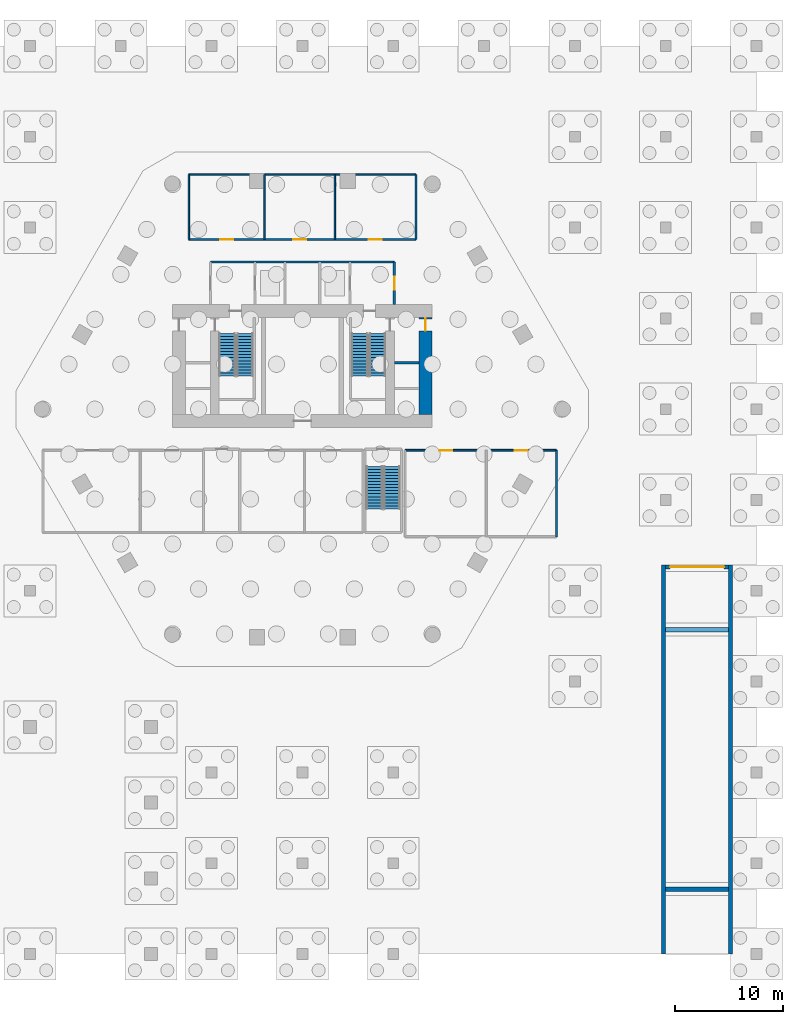
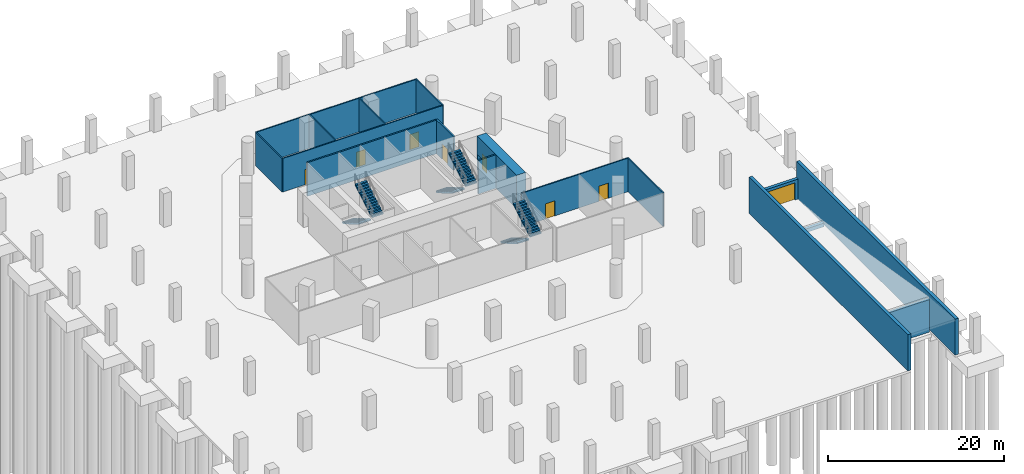
# One storey, part 5 of 7: 17 walls, 8 doors, 6 stair flights, 8 openings, 3 elements without a shape of their own.
"""IFC4 building model written with IfcOpenShell, lengths in metres."""

import ifcopenshell
import ifcopenshell.guid

model = None  # the IFC model being written
_history = None  # IfcOwnerHistory: only IFC2X3 demands one
_inside = {}  # id of a spatial element -> (the spatial element, [elements in it])
_under = {}  # id of a project, library or spatial element -> (it, [spatial elements below it])
_declared = {}  # id of a project -> (the project, [libraries it declares])
_typed = {}  # id of a type object -> (the type object, [elements of that type])
_made_of = {}  # id of a material, layer set ... -> (it, [elements and type objects made of it])


def new_model(schema):
    """Start an empty IFC model of exactly this schema.

    Asked for "IFC4X3", IfcOpenShell would pick the latest addendum, in which some entities
    have other attributes; the version numbers below select the first issue.
    IFC2X3 requires an IfcOwnerHistory on every rooted entity: one is made here for all.
    """
    global model, _history
    if schema == "IFC4X3":
        model = ifcopenshell.file(schema_version=(4, 3, 0, 0))
    else:
        model = ifcopenshell.file(schema=schema)
    _inside.clear()
    _under.clear()
    _declared.clear()
    _typed.clear()
    _made_of.clear()
    _history = None
    if model.schema == "IFC2X3":
        org = make("IfcOrganization", Name="unknown")
        user = make(
            "IfcPersonAndOrganization",
            ThePerson=make("IfcPerson", FamilyName="unknown"),
            TheOrganization=org,
        )
        app = make(
            "IfcApplication",
            ApplicationDeveloper=org,
            Version="unknown",
            ApplicationFullName="unknown",
            ApplicationIdentifier="unknown",
        )
        _history = make(
            "IfcOwnerHistory",
            OwningUser=user,
            OwningApplication=app,
            ChangeAction="ADDED",
            CreationDate=0,
        )
    return model


def make(cls, **values):
    """One entity of the class cls with the attributes given. An attribute that is None is left unset."""
    return model.create_entity(
        cls, **{name: value for name, value in values.items() if value is not None}
    )


def rooted(cls, **values):
    """An entity with a GlobalId (a new one), such as an element, a storey or a relation."""
    return make(cls, GlobalId=ifcopenshell.guid.new(), OwnerHistory=_history, **values)


def si_unit(unit_type, name, prefix=None):
    """IfcSIUnit, for example si_unit("LENGTHUNIT", "METRE", prefix="MILLI")."""
    return make("IfcSIUnit", UnitType=unit_type, Prefix=prefix, Name=name)


def assignment(units):
    """IfcUnitAssignment: the units of a project."""
    return None if units is None else make("IfcUnitAssignment", Units=units)


def point(xyz):
    """IfcCartesianPoint."""
    return None if xyz is None else make("IfcCartesianPoint", Coordinates=xyz)


def direction(xyz):
    """IfcDirection."""
    return None if xyz is None else make("IfcDirection", DirectionRatios=xyz)


def frame(location, z_axis=None, x_axis=None):
    """IfcAxis2Placement3D, a coordinate frame: its origin and axes. An axis left out is left unset."""
    return make(
        "IfcAxis2Placement3D",
        Location=point(location),
        Axis=direction(z_axis),
        RefDirection=direction(x_axis),
    )


def frame_2d(location, x_axis=None):
    """IfcAxis2Placement2D, a coordinate frame in the plane: its origin and x axis."""
    return make(
        "IfcAxis2Placement2D", Location=point(location), RefDirection=direction(x_axis)
    )


def origin():
    """The frame at (0, 0, 0) with its axes left unset."""
    return frame((0.0, 0.0, 0.0))


def place(relative_to, where):
    """IfcLocalPlacement: puts the frame where relative to a parent placement (None: the world)."""
    return make(
        "IfcLocalPlacement", PlacementRelTo=relative_to, RelativePlacement=where
    )


def context(
    kind, dimensions, precision=None, world=None, true_north=None, identifier=None
):
    """IfcGeometricRepresentationContext, for example the 3D "Model" context."""
    return make(
        "IfcGeometricRepresentationContext",
        ContextIdentifier=identifier,
        ContextType=kind,
        CoordinateSpaceDimension=dimensions,
        Precision=precision,
        WorldCoordinateSystem=world,
        TrueNorth=true_north,
    )


def subcontext(parent, identifier, kind, view, scale=None):
    """IfcGeometricRepresentationSubContext, for example "Body" below "Model"."""
    return make(
        "IfcGeometricRepresentationSubContext",
        ContextIdentifier=identifier,
        ContextType=kind,
        ParentContext=parent,
        TargetScale=scale,
        TargetView=view,
    )


def project(units=None, contexts=None):
    """IfcProject with its units and contexts."""
    return rooted(
        "IfcProject",
        Name="project",
        RepresentationContexts=contexts,
        UnitsInContext=assignment(units),
    )


def spatial(cls, under=None, at=None, **own):
    """A site, building, storey or space (cls), placed at a placement, below another one or the project."""
    s = rooted(cls, ObjectPlacement=at, **own)
    if under is not None:
        _under.setdefault(under.id(), (under, []))[1].append(s)
    return s


def polyline(points):
    """IfcPolyline through the points."""
    return make("IfcPolyline", Points=[point(p) for p in points])


def profile(cls, at=None, kind="AREA", **sizes):
    """A parametric profile (cls). Its sizes go by their IFC names, for example OverallWidth=200.0."""
    return make(cls, ProfileType=kind, Position=at, **sizes)


def rectangle(**sizes):
    """IfcRectangleProfileDef."""
    return profile("IfcRectangleProfileDef", **sizes)


def outline(outer, holes=None, kind="AREA"):
    """IfcArbitraryClosedProfileDef: a profile drawn as a closed curve; with holes, ...WithVoids."""
    if holes is None:
        return make("IfcArbitraryClosedProfileDef", ProfileType=kind, OuterCurve=outer)
    return make(
        "IfcArbitraryProfileDefWithVoids",
        ProfileType=kind,
        OuterCurve=outer,
        InnerCurves=holes,
    )


def extrude(swept, where, along, depth):
    """IfcExtrudedAreaSolid: the profile swept, set in the frame where, extruded along a direction by depth."""
    return make(
        "IfcExtrudedAreaSolid",
        SweptArea=swept,
        Position=where,
        ExtrudedDirection=direction(along),
        Depth=depth,
    )


def shape(context_of_items, identifier, shape_type, items):
    """IfcShapeRepresentation: the items that make up one representation, for example the "Body"."""
    return make(
        "IfcShapeRepresentation",
        ContextOfItems=context_of_items,
        RepresentationIdentifier=identifier,
        RepresentationType=shape_type,
        Items=items,
    )


def material(Name=None, Category=None):
    """IfcMaterial."""
    return make("IfcMaterial", Name=Name, Category=Category)


def layer(
    of_material, thickness, ventilated=None, Name=None, Category=None, Priority=None
):
    """IfcMaterialLayer: one layer of a wall or slab, of a material (None: an air gap)."""
    return make(
        "IfcMaterialLayer",
        Material=of_material,
        LayerThickness=thickness,
        IsVentilated=ventilated,
        Name=Name,
        Category=Category,
        Priority=Priority,
    )


def layer_set(layers, Name=None):
    """IfcMaterialLayerSet."""
    return make("IfcMaterialLayerSet", MaterialLayers=layers, LayerSetName=Name)


def made_of(thing, what):
    """Note that an element or type object is made of a material, layer set ...; save() writes the relation."""
    if what is not None:
        _made_of.setdefault(what.id(), (what, []))[1].append(thing)
    return thing


def type_object(cls, material=None, **own):
    """A type object (cls), such as IfcWallType, which elements share."""
    return made_of(rooted(cls, **own), material)


def element(
    cls,
    number,
    at=None,
    inside=None,
    cuts=None,
    type_object=None,
    material=None,
    context=None,
    identifier="Body",
    shape_type=None,
    held_by="IfcProductDefinitionShape",
    body=None,
    shapes=None,
    **own,
):
    """One element of the class cls, such as IfcWall. Its Tag is "e" and its number.

    at: its placement. inside: the storey or other place that contains it. cuts: it is an
    opening in that element (IfcRelVoidsElement). A single representation is given by context,
    identifier, shape_type and body (its items); several are given by shapes. held_by: the class
    of the entity that holds the representations. save() writes the other relations.
    """
    e = rooted(cls, Tag="e%d" % number, ObjectPlacement=at, **own)
    if body is not None:
        shapes = [shape(context, identifier, shape_type, body)]
    if shapes is not None:
        e.Representation = make(held_by, Representations=shapes)
    if inside is not None:
        _inside.setdefault(inside.id(), (inside, []))[1].append(e)
    if cuts is not None:
        rooted(
            "IfcRelVoidsElement", RelatingBuildingElement=cuts, RelatedOpeningElement=e
        )
    if type_object is not None:
        _typed.setdefault(type_object.id(), (type_object, []))[1].append(e)
    return made_of(e, material)


def fill(opening, filler):
    """IfcRelFillsElement: the door or window that sits in an opening."""
    return rooted(
        "IfcRelFillsElement",
        RelatingOpeningElement=opening,
        RelatedBuildingElement=filler,
    )


def aggregate(whole, parts):
    """IfcRelAggregates: a whole, such as a stair, and the parts it consists of."""
    return rooted("IfcRelAggregates", RelatingObject=whole, RelatedObjects=parts)


def save(model, path):
    """Write the relations noted so far, then the file.

    IfcRelAggregates (storeys below a building ...), IfcRelContainedInSpatialStructure (elements
    in a storey), IfcRelDefinesByType, IfcRelAssociatesMaterial and IfcRelDeclares: one each for
    every whole, place, type object, material and project.
    """
    for whole, parts in _under.values():
        aggregate(whole, parts)
    for where, things in _inside.values():
        rooted(
            "IfcRelContainedInSpatialStructure",
            RelatedElements=things,
            RelatingStructure=where,
        )
    for kind, things in _typed.values():
        rooted("IfcRelDefinesByType", RelatedObjects=things, RelatingType=kind)
    for what, things in _made_of.values():
        rooted("IfcRelAssociatesMaterial", RelatedObjects=things, RelatingMaterial=what)
    for by, libraries in _declared.values():
        rooted("IfcRelDeclares", RelatingContext=by, RelatedDefinitions=libraries)
    model.write(path)


model = new_model("IFC4")

# Units and contexts
model_context = context("Model", 3, precision=1e-05, world=origin(), true_north=direction((0.0, 1.0)))
body_context = subcontext(model_context, "Body", "Model", "MODEL_VIEW")
ifc_project = project(units=[si_unit("LENGTHUNIT", "METRE"), si_unit("AREAUNIT", "SQUARE_METRE"), si_unit("VOLUMEUNIT", "CUBIC_METRE"), si_unit("PLANEANGLEUNIT", "RADIAN"), si_unit("MASSUNIT", "GRAM", prefix="KILO")], contexts=[model_context])

# Site, building, storey
site_placement = place(None, origin())
site = spatial("IfcSite", under=ifc_project, at=site_placement, CompositionType="ELEMENT")
building_placement = place(site_placement, origin())
building = spatial("IfcBuilding", under=site, at=building_placement, Name="Ostrander Bayou Hotel Tower", CompositionType="ELEMENT")
storey_placement = place(building_placement, frame((0.0, 0.0, -5.0)))
storey = spatial("IfcBuildingStorey", under=building, at=storey_placement, Name="B1", CompositionType="ELEMENT", Elevation=-5.0)

# Wall, opening, door
ifc_material_1 = material(Name="Concrete f'c 70 MPa", Category="concrete")
ifc_layer_1 = layer(ifc_material_1, 1.199951171875)
ifc_layer_set_1 = layer_set([ifc_layer_1], Name="CW1 core wall 1200 mm f'c 70 MPa")
wall_type_1 = type_object("IfcWallType", Name="CW1 core wall 1200 mm f'c 70 MPa", PredefinedType="SHEAR", material=ifc_layer_set_1)
wall_1_placement = place(storey_placement, frame((11.39990234375, -0.5, 0.0), z_axis=(0.0, 0.0, 1.0), x_axis=(0.0, 1.0, 0.0)))
wall_1 = element("IfcWall", 1, at=wall_1_placement, inside=storey, type_object=wall_type_1, Name="CW1 B1 RE", PredefinedType="SHEAR", context=body_context, shape_type="SweptSolid", body=[
    extrude(rectangle(XDim=9.0, YDim=1.199951171875, at=frame_2d((4.5, 0.0))), origin(), (0.0, 0.0, 1.0), 4.64990234375),
])
opening_1_placement = place(wall_1_placement, frame((7.75, 0.0, 0.0)))
opening_1 = element("IfcOpeningElement", 2, at=opening_1_placement, cuts=wall_1, Name="Opening B1-012", PredefinedType="OPENING", context=body_context, shape_type="SweptSolid", body=[
    extrude(rectangle(XDim=1.10009765625, YDim=2.10009765625, at=frame_2d((0.550048828125, 1.050048828125))), frame((0.0, 0.60009765625, 0.0), z_axis=(0.0, -1.0, 0.0), x_axis=(1.0, 0.0, 0.0)), (0.0, 0.0, 1.0), 1.199951171875),
])
ifc_material_2 = material(Name="Timber door leaf", Category="wood")
door_type_1 = type_object("IfcDoorType", Name="D5 stair door 1100 x 2100 mm, 90 minute", OperationType="SINGLE_SWING_LEFT", PredefinedType="DOOR", material=ifc_material_2)
door_1_placement = place(opening_1_placement, origin())
door_1 = element("IfcDoor", 3, at=door_1_placement, inside=storey, type_object=door_type_1, Name="dr:B1:012", OperationType="SINGLE_SWING_RIGHT", OverallHeight=2.10009765625, OverallWidth=1.10009765625, PredefinedType="DOOR", context=body_context, shape_type="SweptSolid", body=[
    extrude(rectangle(XDim=1.10009765625, YDim=2.10009765625, at=frame_2d((0.550048828125, 1.050048828125))), frame((0.0, 0.02490234375, 0.0), z_axis=(0.0, -1.0, 0.0), x_axis=(1.0, 0.0, 0.0)), (0.0, 0.0, 1.0), 0.050048828125),
])
fill(opening_1, door_1)

# Wall
ifc_material_3 = material(Name="Masonry block", Category="masonry")
ifc_layer_2 = layer(ifc_material_3, 0.199951171875)
ifc_layer_set_2 = layer_set([ifc_layer_2], Name="PT5 stair enclosure wall 200 mm masonry, 2 hour")
wall_type_2 = type_object("IfcWallType", Name="PT5 stair enclosure wall 200 mm masonry, 2 hour", PredefinedType="PARTITIONING", material=ifc_layer_set_2)
wall_2_placement = place(storey_placement, frame((-8.5, 13.60009765625, 0.0), z_axis=(0.0, 0.0, 1.0), x_axis=(1.0, 0.0, 0.0)))
element("IfcWall", 4, at=wall_2_placement, inside=storey, type_object=wall_type_2, Name="cs:B1:009", PredefinedType="PARTITIONING", context=body_context, shape_type="SweptSolid", body=[
    extrude(rectangle(XDim=17.0, YDim=0.199951171875, at=frame_2d((8.5, 0.0))), origin(), (0.0, 0.0, 1.0), 4.64990234375),
])

# Wall, opening, door
wall_3_placement = place(storey_placement, frame((8.5, 9.699951171875, 0.0), z_axis=(0.0, 0.0, 1.0), x_axis=(0.0, 1.0, 0.0)))
wall_3 = element("IfcWall", 5, at=wall_3_placement, inside=storey, type_object=wall_type_2, Name="cs:B1:011", PredefinedType="PARTITIONING", context=body_context, shape_type="SweptSolid", body=[
    extrude(rectangle(XDim=3.900146484375, YDim=0.199951171875, at=frame_2d((1.9501953125, 0.0))), origin(), (0.0, 0.0, 1.0), 4.64990234375),
])
opening_2_placement = place(wall_3_placement, frame((1.35009765625, 0.0, 0.0)))
opening_2 = element("IfcOpeningElement", 6, at=opening_2_placement, cuts=wall_3, Name="Opening B1-010", PredefinedType="OPENING", context=body_context, shape_type="SweptSolid", body=[
    extrude(rectangle(XDim=1.199951171875, YDim=2.10009765625, at=frame_2d((0.60009765625, 1.050048828125))), frame((0.0, 0.10009765625, 0.0), z_axis=(0.0, -1.0, 0.0), x_axis=(1.0, 0.0, 0.0)), (0.0, 0.0, 1.0), 0.199951171875),
])
ifc_material_4 = material(Name="Timber door leaf", Category="wood")
door_type_2 = type_object("IfcDoorType", Name="D7 lobby door 1200 x 2100 mm, 1 hour", OperationType="SINGLE_SWING_LEFT", PredefinedType="DOOR", material=ifc_material_4)
door_2_placement = place(opening_2_placement, origin())
door_2 = element("IfcDoor", 7, at=door_2_placement, inside=storey, type_object=door_type_2, Name="dr:B1:010", OperationType="SINGLE_SWING_LEFT", OverallHeight=2.10009765625, OverallWidth=1.199951171875, PredefinedType="DOOR", context=body_context, shape_type="SweptSolid", body=[
    extrude(rectangle(XDim=1.199951171875, YDim=2.10009765625, at=frame_2d((0.60009765625, 1.050048828125))), frame((0.0, 0.02490234375, 0.0), z_axis=(0.0, -1.0, 0.0), x_axis=(1.0, 0.0, 0.0)), (0.0, 0.0, 1.0), 0.050048828125),
])
fill(opening_2, door_2)

# Wall
ifc_material_5 = material(Name="Masonry block", Category="masonry")
ifc_layer_3 = layer(ifc_material_5, 0.199951171875)
ifc_layer_set_3 = layer_set([ifc_layer_3], Name="PT6 lift shaft wall 200 mm masonry, 2 hour")
wall_type_3 = type_object("IfcWallType", Name="PT6 lift shaft wall 200 mm masonry, 2 hour", PredefinedType="PARTITIONING", material=ifc_layer_set_3)
wall_4_placement = place(storey_placement, frame((8.5, 4.300048828125, 0.0), z_axis=(0.0, 0.0, 1.0), x_axis=(1.0, 0.0, 0.0)))
element("IfcWall", 8, at=wall_4_placement, inside=storey, type_object=wall_type_3, Name="cs:B1:019", PredefinedType="PARTITIONING", context=body_context, shape_type="SweptSolid", body=[
    extrude(rectangle(XDim=2.300048828125, YDim=0.199951171875, at=frame_2d((1.14990234375, 0.0))), origin(), (0.0, 0.0, 1.0), 4.64990234375),
])

# Wall, openings, doors
ifc_material_6 = material(Name="Gypsum board partition", Category="finish")
ifc_layer_4 = layer(ifc_material_6, 0.14990234375)
ifc_layer_set_4 = layer_set([ifc_layer_4], Name="PT8 service band wall 150 mm, 1 hour")
wall_type_4 = type_object("IfcWallType", Name="PT8 service band wall 150 mm, 1 hour", PredefinedType="PARTITIONING", material=ifc_layer_set_4)
wall_5_placement = place(storey_placement, frame((9.5, -3.800048828125, 0.0), z_axis=(0.0, 0.0, 1.0), x_axis=(1.0, 0.0, 0.0)))
wall_5 = element("IfcWall", 9, at=wall_5_placement, inside=storey, type_object=wall_type_4, Name="bw:B1:032", PredefinedType="PARTITIONING", context=body_context, shape_type="SweptSolid", body=[
    extrude(rectangle(XDim=14.0, YDim=0.14990234375, at=frame_2d((7.0, 0.0))), origin(), (0.0, 0.0, 1.0), 4.64990234375),
])
opening_3_placement = place(wall_5_placement, frame((3.14990234375, 0.0, 0.0)))
opening_3 = element("IfcOpeningElement", 10, at=opening_3_placement, cuts=wall_5, Name="Opening B1-018", PredefinedType="OPENING", context=body_context, shape_type="SweptSolid", body=[
    extrude(rectangle(XDim=1.199951171875, YDim=2.10009765625, at=frame_2d((0.60009765625, 1.050048828125))), frame((0.0, 0.074951171875, 0.0), z_axis=(0.0, -1.0, 0.0), x_axis=(1.0, 0.0, 0.0)), (0.0, 0.0, 1.0), 0.14990234375),
])
opening_4_placement = place(wall_5_placement, frame((10.14990234375, 0.0, 0.0)))
opening_4 = element("IfcOpeningElement", 11, at=opening_4_placement, cuts=wall_5, Name="Opening B1-019", PredefinedType="OPENING", context=body_context, shape_type="SweptSolid", body=[
    extrude(rectangle(XDim=1.199951171875, YDim=2.10009765625, at=frame_2d((0.60009765625, 1.050048828125))), frame((0.0, 0.074951171875, 0.0), z_axis=(0.0, -1.0, 0.0), x_axis=(1.0, 0.0, 0.0)), (0.0, 0.0, 1.0), 0.14990234375),
])
ifc_material_7 = material(Name="Timber door leaf", Category="wood")
door_type_3 = type_object("IfcDoorType", Name="D10 plant room door 1200 x 2100 mm, 1 hour", OperationType="SINGLE_SWING_LEFT", PredefinedType="DOOR", material=ifc_material_7)
door_3_placement = place(opening_3_placement, origin())
door_3 = element("IfcDoor", 12, at=door_3_placement, inside=storey, type_object=door_type_3, Name="dr:B1:018", OperationType="SINGLE_SWING_LEFT", OverallHeight=2.10009765625, OverallWidth=1.199951171875, PredefinedType="DOOR", context=body_context, shape_type="SweptSolid", body=[
    extrude(rectangle(XDim=1.199951171875, YDim=2.10009765625, at=frame_2d((0.60009765625, 1.050048828125))), frame((0.0, 0.02490234375, 0.0), z_axis=(0.0, -1.0, 0.0), x_axis=(1.0, 0.0, 0.0)), (0.0, 0.0, 1.0), 0.050048828125),
])
fill(opening_3, door_3)
door_4_placement = place(opening_4_placement, origin())
door_4 = element("IfcDoor", 13, at=door_4_placement, inside=storey, type_object=door_type_3, Name="dr:B1:019", OperationType="SINGLE_SWING_LEFT", OverallHeight=2.10009765625, OverallWidth=1.199951171875, PredefinedType="DOOR", context=body_context, shape_type="SweptSolid", body=[
    extrude(rectangle(XDim=1.199951171875, YDim=2.10009765625, at=frame_2d((0.60009765625, 1.050048828125))), frame((0.0, 0.02490234375, 0.0), z_axis=(0.0, -1.0, 0.0), x_axis=(1.0, 0.0, 0.0)), (0.0, 0.0, 1.0), 0.050048828125),
])
fill(opening_4, door_4)

# Wall
wall_6_placement = place(storey_placement, frame((23.5, -3.800048828125, 0.0), z_axis=(0.0, 0.0, 1.0), x_axis=(0.0, -1.0, 0.0)))
element("IfcWall", 14, at=wall_6_placement, inside=storey, type_object=wall_type_4, Name="bw:B1:036", PredefinedType="PARTITIONING", context=body_context, shape_type="SweptSolid", body=[
    extrude(rectangle(XDim=8.0, YDim=0.14990234375, at=frame_2d((4.0, 0.0))), origin(), (0.0, 0.0, 1.0), 4.64990234375),
])

# Wall, openings, doors
wall_7_placement = place(storey_placement, frame((-10.5, 15.699951171875, 0.0), z_axis=(0.0, 0.0, 1.0), x_axis=(1.0, 0.0, 0.0)))
wall_7 = element("IfcWall", 15, at=wall_7_placement, inside=storey, type_object=wall_type_4, Name="bw:B1:037", PredefinedType="PARTITIONING", context=body_context, shape_type="SweptSolid", body=[
    extrude(rectangle(XDim=21.0, YDim=0.14990234375, at=frame_2d((10.5, 0.0))), origin(), (0.0, 0.0, 1.0), 4.64990234375),
])
opening_5_placement = place(wall_7_placement, frame((2.89990234375, 0.0, 0.0)))
opening_5 = element("IfcOpeningElement", 16, at=opening_5_placement, cuts=wall_7, Name="Opening B1-020", PredefinedType="OPENING", context=body_context, shape_type="SweptSolid", body=[
    extrude(rectangle(XDim=1.199951171875, YDim=2.10009765625, at=frame_2d((0.60009765625, 1.050048828125))), frame((0.0, 0.074951171875, 0.0), z_axis=(0.0, -1.0, 0.0), x_axis=(1.0, 0.0, 0.0)), (0.0, 0.0, 1.0), 0.14990234375),
])
opening_6_placement = place(wall_7_placement, frame((9.64990234375, 0.0, 0.0)))
opening_6 = element("IfcOpeningElement", 17, at=opening_6_placement, cuts=wall_7, Name="Opening B1-021", PredefinedType="OPENING", context=body_context, shape_type="SweptSolid", body=[
    extrude(rectangle(XDim=1.199951171875, YDim=2.10009765625, at=frame_2d((0.60009765625, 1.050048828125))), frame((0.0, 0.074951171875, 0.0), z_axis=(0.0, -1.0, 0.0), x_axis=(1.0, 0.0, 0.0)), (0.0, 0.0, 1.0), 0.14990234375),
])
opening_7_placement = place(wall_7_placement, frame((16.64990234375, 0.0, 0.0)))
opening_7 = element("IfcOpeningElement", 18, at=opening_7_placement, cuts=wall_7, Name="Opening B1-022", PredefinedType="OPENING", context=body_context, shape_type="SweptSolid", body=[
    extrude(rectangle(XDim=1.199951171875, YDim=2.10009765625, at=frame_2d((0.60009765625, 1.050048828125))), frame((0.0, 0.074951171875, 0.0), z_axis=(0.0, -1.0, 0.0), x_axis=(1.0, 0.0, 0.0)), (0.0, 0.0, 1.0), 0.14990234375),
])
door_5_placement = place(opening_5_placement, origin())
door_5 = element("IfcDoor", 19, at=door_5_placement, inside=storey, type_object=door_type_3, Name="dr:B1:020", OperationType="SINGLE_SWING_LEFT", OverallHeight=2.10009765625, OverallWidth=1.199951171875, PredefinedType="DOOR", context=body_context, shape_type="SweptSolid", body=[
    extrude(rectangle(XDim=1.199951171875, YDim=2.10009765625, at=frame_2d((0.60009765625, 1.050048828125))), frame((0.0, 0.02490234375, 0.0), z_axis=(0.0, -1.0, 0.0), x_axis=(1.0, 0.0, 0.0)), (0.0, 0.0, 1.0), 0.050048828125),
])
fill(opening_5, door_5)
door_6_placement = place(opening_6_placement, origin())
door_6 = element("IfcDoor", 20, at=door_6_placement, inside=storey, type_object=door_type_3, Name="dr:B1:021", OperationType="SINGLE_SWING_LEFT", OverallHeight=2.10009765625, OverallWidth=1.199951171875, PredefinedType="DOOR", context=body_context, shape_type="SweptSolid", body=[
    extrude(rectangle(XDim=1.199951171875, YDim=2.10009765625, at=frame_2d((0.60009765625, 1.050048828125))), frame((0.0, 0.02490234375, 0.0), z_axis=(0.0, -1.0, 0.0), x_axis=(1.0, 0.0, 0.0)), (0.0, 0.0, 1.0), 0.050048828125),
])
fill(opening_6, door_6)
door_7_placement = place(opening_7_placement, origin())
door_7 = element("IfcDoor", 21, at=door_7_placement, inside=storey, type_object=door_type_3, Name="dr:B1:022", OperationType="SINGLE_SWING_LEFT", OverallHeight=2.10009765625, OverallWidth=1.199951171875, PredefinedType="DOOR", context=body_context, shape_type="SweptSolid", body=[
    extrude(rectangle(XDim=1.199951171875, YDim=2.10009765625, at=frame_2d((0.60009765625, 1.050048828125))), frame((0.0, 0.02490234375, 0.0), z_axis=(0.0, -1.0, 0.0), x_axis=(1.0, 0.0, 0.0)), (0.0, 0.0, 1.0), 0.050048828125),
])
fill(opening_7, door_7)

# Walls
wall_8_placement = place(storey_placement, frame((-10.5, 21.699951171875, 0.0), z_axis=(0.0, 0.0, 1.0), x_axis=(1.0, 0.0, 0.0)))
element("IfcWall", 22, at=wall_8_placement, inside=storey, type_object=wall_type_4, Name="bw:B1:038", PredefinedType="PARTITIONING", context=body_context, shape_type="SweptSolid", body=[
    extrude(rectangle(XDim=21.0, YDim=0.14990234375, at=frame_2d((10.5, 0.0))), origin(), (0.0, 0.0, 1.0), 4.64990234375),
])
for number, where, z_axis, x_axis, name in (
    (23, (-10.5, 15.699951171875, 0.0), (0.0, 0.0, 1.0), (0.0, 1.0, 0.0), "bw:B1:039"),
    (24, (-3.5, 15.699951171875, 0.0), (0.0, 0.0, 1.0), (0.0, 1.0, 0.0), "bw:B1:040"),
    (25, (3.0, 15.699951171875, 0.0), (0.0, 0.0, 1.0), (0.0, 1.0, 0.0), "bw:B1:041"),
    (26, (10.5, 15.699951171875, 0.0), (0.0, 0.0, 1.0), (0.0, 1.0, 0.0), "bw:B1:042"),
):
    element("IfcWall", number, at=place(storey_placement, frame(where, z_axis=z_axis, x_axis=x_axis)), inside=storey, type_object=wall_type_4, Name=name, PredefinedType="PARTITIONING", context=body_context, shape_type="SweptSolid", body=[
        extrude(rectangle(XDim=6.0, YDim=0.14990234375, at=frame_2d((3.0, 0.0))), origin(), (0.0, 0.0, 1.0), 4.64990234375),
    ])
ifc_material_8 = material(Name="Concrete f'c 40 MPa", Category="concrete")
ifc_layer_5 = layer(ifc_material_8, 0.39990234375)
ifc_layer_set_5 = layer_set([ifc_layer_5], Name="RT1 ramp well wall 400 mm f'c 40 MPa")
wall_type_5 = type_object("IfcWallType", Name="RT1 ramp well wall 400 mm f'c 40 MPa", PredefinedType="SOLIDWALL", material=ifc_layer_set_5)
wall_9_placement = place(storey_placement, frame((33.60009765625, -44.39990234375, -0.300048828125), z_axis=(0.0, 0.0, 1.0), x_axis=(1.0, 0.0, 0.0)))
element("IfcWall", 27, at=wall_9_placement, inside=storey, type_object=wall_type_5, Name="RT1 RAMP SILL 1", PredefinedType="SOLIDWALL", context=body_context, shape_type="SweptSolid", body=[
    extrude(rectangle(XDim=5.7998046875, YDim=0.39990234375, at=frame_2d((2.89990234375, 0.0))), origin(), (0.0, 0.0, 1.0), 4.5),
])
wall_10_placement = place(storey_placement, frame((33.60009765625, -20.39990234375, -0.300048828125), z_axis=(0.0, 0.0, 1.0), x_axis=(1.0, 0.0, 0.0)))
element("IfcWall", 28, at=wall_10_placement, inside=storey, type_object=wall_type_5, Name="RT1 RAMP SILL 2", PredefinedType="SOLIDWALL", context=body_context, shape_type="SweptSolid", body=[
    extrude(rectangle(XDim=5.7998046875, YDim=0.39990234375, at=frame_2d((2.89990234375, 0.0))), origin(), (0.0, 0.0, 1.0), 0.5),
])

# Wall, opening, door
wall_11_placement = place(storey_placement, frame((33.60009765625, -14.60009765625, 0.0), z_axis=(0.0, 0.0, 1.0), x_axis=(1.0, 0.0, 0.0)))
wall_11 = element("IfcWall", 29, at=wall_11_placement, inside=storey, type_object=wall_type_5, Name="RT1 RAMP GATE WALL", PredefinedType="SOLIDWALL", context=body_context, shape_type="SweptSolid", body=[
    extrude(rectangle(XDim=5.7998046875, YDim=0.39990234375, at=frame_2d((2.89990234375, 0.0))), origin(), (0.0, 0.0, 1.0), 2.800048828125),
])
opening_8_placement = place(wall_11_placement, frame((0.39990234375, 0.0, 0.0)))
opening_8 = element("IfcOpeningElement", 30, at=opening_8_placement, cuts=wall_11, Name="Opening B1-099", PredefinedType="OPENING", context=body_context, shape_type="SweptSolid", body=[
    extrude(rectangle(XDim=5.0, YDim=2.39990234375, at=frame_2d((2.5, 1.199951171875))), frame((0.0, 0.199951171875, 0.0), z_axis=(0.0, -1.0, 0.0), x_axis=(1.0, 0.0, 0.0)), (0.0, 0.0, 1.0), 0.39990234375),
])
ifc_material_9 = material(Name="Galvanised steel gate leaf", Category="steel")
door_type_4 = type_object("IfcDoorType", Name="VD1 vehicle gate 5000 x 2400 mm", OperationType="SINGLE_SWING_LEFT", PredefinedType="DOOR", material=ifc_material_9)
door_8_placement = place(opening_8_placement, origin())
door_8 = element("IfcDoor", 31, at=door_8_placement, inside=storey, type_object=door_type_4, Name="dr:B1:099", OperationType="SLIDING_TO_LEFT", OverallHeight=2.39990234375, OverallWidth=5.0, PredefinedType="DOOR", context=body_context, shape_type="SweptSolid", body=[
    extrude(rectangle(XDim=5.0, YDim=2.39990234375, at=frame_2d((2.5, 1.199951171875))), frame((0.0, 0.02490234375, 0.0), z_axis=(0.0, -1.0, 0.0), x_axis=(1.0, 0.0, 0.0)), (0.0, 0.0, 1.0), 0.050048828125),
])
fill(opening_8, door_8)

# Walls
for number, where, z_axis, x_axis, name in (
    (32, (33.39990234375, -50.39990234375, 0.0), (0.0, 0.0, 1.0), (0.0, 1.0, 0.0), "RT1 RAMP WALL W"),
    (33, (39.60009765625, -50.39990234375, 0.0), (0.0, 0.0, 1.0), (0.0, 1.0, 0.0), "RT1 RAMP WALL E"),
):
    element("IfcWall", number, at=place(storey_placement, frame(where, z_axis=z_axis, x_axis=x_axis)), inside=storey, type_object=wall_type_5, Name=name, PredefinedType="SOLIDWALL", context=body_context, shape_type="SweptSolid", body=[
        extrude(rectangle(XDim=36.0, YDim=0.39990234375, at=frame_2d((18.0, 0.0))), origin(), (0.0, 0.0, 1.0), 5.0),
    ])

# Stair, stair flights
ifc_material_10 = material(Name="Concrete f'c 45 MPa", Category="concrete")
stair_type = type_object("IfcStairType", Name="ST1 exit stair 1500 mm f'c 45 MPa", PredefinedType="HALF_TURN_STAIR", material=ifc_material_10)
stair_1_placement = place(storey_placement, origin())
stair_1 = element("IfcStair", 34, at=stair_1_placement, inside=storey, type_object=stair_type, Name="B1 exit stair A", PredefinedType="HALF_TURN_STAIR")
ifc_material_11 = material(Name="Concrete f'c 45 MPa", Category="concrete")
stair_flight_type = type_object("IfcStairFlightType", Name="SF1 stair flight 1500 mm f'c 45 MPa", PredefinedType="STRAIGHT", material=ifc_material_11)
stair_flight_1_placement = place(storey_placement, frame((-6.949951171875, 7.0, 0.0), z_axis=(0.0, 0.0, 1.0), x_axis=(0.0, -1.0, 0.0)))
stair_flight_1 = element("IfcStairFlight", 35, at=stair_flight_1_placement, type_object=stair_flight_type, Name="STA flight 1", NumberOfRisers=15, NumberOfTreads=14, PredefinedType="STRAIGHT", RiserHeight=0.166666667, TreadLength=0.28, context=body_context, shape_type="SweptSolid", body=[
    extrude(outline(polyline([(0.0, 0.0), (0.0, 0.166748046875), (0.280029296875, 0.166748046875), (0.280029296875, 0.333251953125), (0.56005859375, 0.333251953125), (0.56005859375, 0.5), (0.840087890625, 0.5), (0.840087890625, 0.666748046875), (1.1201171875, 0.666748046875), (1.1201171875, 0.833251953125), (1.39990234375, 0.833251953125), (1.39990234375, 1.0), (1.679931640625, 1.0), (1.679931640625, 1.166748046875), (1.9599609375, 1.166748046875), (1.9599609375, 1.333251953125), (2.239990234375, 1.333251953125), (2.239990234375, 1.5), (2.52001953125, 1.5), (2.52001953125, 1.666748046875), (2.800048828125, 1.666748046875), (2.800048828125, 1.833251953125), (3.080078125, 1.833251953125), (3.080078125, 2.0), (3.360107421875, 2.0), (3.360107421875, 2.166748046875), (3.639892578125, 2.166748046875), (3.639892578125, 2.333251953125), (3.919921875, 2.333251953125), (3.919921875, 2.5), (3.919921875, 2.158935546875), (0.29296875, 0.0), (0.0, 0.0)])), frame((0.0, 0.75, 0.0), z_axis=(0.0, -1.0, 0.0), x_axis=(1.0, 0.0, 0.0)), (0.0, 0.0, 1.0), 1.5),
])
stair_flight_2_placement = place(storey_placement, frame((-5.300048828125, 3.080078125, 2.5), z_axis=(0.0, 0.0, 1.0), x_axis=(0.0, 1.0, 0.0)))
stair_flight_2 = element("IfcStairFlight", 36, at=stair_flight_2_placement, type_object=stair_flight_type, Name="STA flight 2", NumberOfRisers=15, NumberOfTreads=14, PredefinedType="STRAIGHT", RiserHeight=0.166666667, TreadLength=0.28, context=body_context, shape_type="SweptSolid", body=[
    extrude(outline(polyline([(0.0, 0.0), (0.0, 0.166748046875), (0.280029296875, 0.166748046875), (0.280029296875, 0.333251953125), (0.56005859375, 0.333251953125), (0.56005859375, 0.5), (0.840087890625, 0.5), (0.840087890625, 0.666748046875), (1.1201171875, 0.666748046875), (1.1201171875, 0.833251953125), (1.39990234375, 0.833251953125), (1.39990234375, 1.0), (1.679931640625, 1.0), (1.679931640625, 1.166748046875), (1.9599609375, 1.166748046875), (1.9599609375, 1.333251953125), (2.239990234375, 1.333251953125), (2.239990234375, 1.5), (2.52001953125, 1.5), (2.52001953125, 1.666748046875), (2.800048828125, 1.666748046875), (2.800048828125, 1.833251953125), (3.080078125, 1.833251953125), (3.080078125, 2.0), (3.360107421875, 2.0), (3.360107421875, 2.166748046875), (3.639892578125, 2.166748046875), (3.639892578125, 2.333251953125), (3.919921875, 2.333251953125), (3.919921875, 2.5), (3.919921875, 2.158935546875), (0.29296875, 0.0), (0.0, 0.0)])), frame((0.0, 0.75, 0.0), z_axis=(0.0, -1.0, 0.0), x_axis=(1.0, 0.0, 0.0)), (0.0, 0.0, 1.0), 1.5),
])
aggregate(stair_1, [stair_flight_1, stair_flight_2])

stair_2_placement = place(storey_placement, origin())
stair_2 = element("IfcStair", 37, at=stair_2_placement, inside=storey, type_object=stair_type, Name="B1 exit stair B", PredefinedType="HALF_TURN_STAIR")
stair_flight_3_placement = place(storey_placement, frame((5.300048828125, 7.0, 0.0), z_axis=(0.0, 0.0, 1.0), x_axis=(0.0, -1.0, 0.0)))
stair_flight_3 = element("IfcStairFlight", 38, at=stair_flight_3_placement, type_object=stair_flight_type, Name="STB flight 1", NumberOfRisers=15, NumberOfTreads=14, PredefinedType="STRAIGHT", RiserHeight=0.166666667, TreadLength=0.28, context=body_context, shape_type="SweptSolid", body=[
    extrude(outline(polyline([(0.0, 0.0), (0.0, 0.166748046875), (0.280029296875, 0.166748046875), (0.280029296875, 0.333251953125), (0.56005859375, 0.333251953125), (0.56005859375, 0.5), (0.840087890625, 0.5), (0.840087890625, 0.666748046875), (1.1201171875, 0.666748046875), (1.1201171875, 0.833251953125), (1.39990234375, 0.833251953125), (1.39990234375, 1.0), (1.679931640625, 1.0), (1.679931640625, 1.166748046875), (1.9599609375, 1.166748046875), (1.9599609375, 1.333251953125), (2.239990234375, 1.333251953125), (2.239990234375, 1.5), (2.52001953125, 1.5), (2.52001953125, 1.666748046875), (2.800048828125, 1.666748046875), (2.800048828125, 1.833251953125), (3.080078125, 1.833251953125), (3.080078125, 2.0), (3.360107421875, 2.0), (3.360107421875, 2.166748046875), (3.639892578125, 2.166748046875), (3.639892578125, 2.333251953125), (3.919921875, 2.333251953125), (3.919921875, 2.5), (3.919921875, 2.158935546875), (0.29296875, 0.0), (0.0, 0.0)])), frame((0.0, 0.75, 0.0), z_axis=(0.0, -1.0, 0.0), x_axis=(1.0, 0.0, 0.0)), (0.0, 0.0, 1.0), 1.5),
])
stair_flight_4_placement = place(storey_placement, frame((6.949951171875, 3.080078125, 2.5), z_axis=(0.0, 0.0, 1.0), x_axis=(0.0, 1.0, 0.0)))
stair_flight_4 = element("IfcStairFlight", 39, at=stair_flight_4_placement, type_object=stair_flight_type, Name="STB flight 2", NumberOfRisers=15, NumberOfTreads=14, PredefinedType="STRAIGHT", RiserHeight=0.166666667, TreadLength=0.28, context=body_context, shape_type="SweptSolid", body=[
    extrude(outline(polyline([(0.0, 0.0), (0.0, 0.166748046875), (0.280029296875, 0.166748046875), (0.280029296875, 0.333251953125), (0.56005859375, 0.333251953125), (0.56005859375, 0.5), (0.840087890625, 0.5), (0.840087890625, 0.666748046875), (1.1201171875, 0.666748046875), (1.1201171875, 0.833251953125), (1.39990234375, 0.833251953125), (1.39990234375, 1.0), (1.679931640625, 1.0), (1.679931640625, 1.166748046875), (1.9599609375, 1.166748046875), (1.9599609375, 1.333251953125), (2.239990234375, 1.333251953125), (2.239990234375, 1.5), (2.52001953125, 1.5), (2.52001953125, 1.666748046875), (2.800048828125, 1.666748046875), (2.800048828125, 1.833251953125), (3.080078125, 1.833251953125), (3.080078125, 2.0), (3.360107421875, 2.0), (3.360107421875, 2.166748046875), (3.639892578125, 2.166748046875), (3.639892578125, 2.333251953125), (3.919921875, 2.333251953125), (3.919921875, 2.5), (3.919921875, 2.158935546875), (0.29296875, 0.0), (0.0, 0.0)])), frame((0.0, 0.75, 0.0), z_axis=(0.0, -1.0, 0.0), x_axis=(1.0, 0.0, 0.0)), (0.0, 0.0, 1.0), 1.5),
])
aggregate(stair_2, [stair_flight_3, stair_flight_4])

stair_3_placement = place(storey_placement, origin())
stair_3 = element("IfcStair", 40, at=stair_3_placement, inside=storey, type_object=stair_type, Name="B1 exit stair C", PredefinedType="HALF_TURN_STAIR")
stair_flight_5_placement = place(storey_placement, frame((6.64990234375, -5.300048828125, 0.0), z_axis=(0.0, 0.0, 1.0), x_axis=(0.0, -1.0, 0.0)))
stair_flight_5 = element("IfcStairFlight", 41, at=stair_flight_5_placement, type_object=stair_flight_type, Name="STC flight 1", NumberOfRisers=15, NumberOfTreads=14, PredefinedType="STRAIGHT", RiserHeight=0.166666667, TreadLength=0.28, context=body_context, shape_type="SweptSolid", body=[
    extrude(outline(polyline([(0.0, 0.0), (0.0, 0.166748046875), (0.280029296875, 0.166748046875), (0.280029296875, 0.333251953125), (0.56005859375, 0.333251953125), (0.56005859375, 0.5), (0.840087890625, 0.5), (0.840087890625, 0.666748046875), (1.1201171875, 0.666748046875), (1.1201171875, 0.833251953125), (1.39990234375, 0.833251953125), (1.39990234375, 1.0), (1.679931640625, 1.0), (1.679931640625, 1.166748046875), (1.9599609375, 1.166748046875), (1.9599609375, 1.333251953125), (2.239990234375, 1.333251953125), (2.239990234375, 1.5), (2.52001953125, 1.5), (2.52001953125, 1.666748046875), (2.800048828125, 1.666748046875), (2.800048828125, 1.833251953125), (3.080078125, 1.833251953125), (3.080078125, 2.0), (3.360107421875, 2.0), (3.360107421875, 2.166748046875), (3.639892578125, 2.166748046875), (3.639892578125, 2.333251953125), (3.919921875, 2.333251953125), (3.919921875, 2.5), (3.919921875, 2.158935546875), (0.29296875, 0.0), (0.0, 0.0)])), frame((0.0, 0.75, 0.0), z_axis=(0.0, -1.0, 0.0), x_axis=(1.0, 0.0, 0.0)), (0.0, 0.0, 1.0), 1.5),
])
stair_flight_6_placement = place(storey_placement, frame((8.300048828125, -9.219970703125, 2.5), z_axis=(0.0, 0.0, 1.0), x_axis=(0.0, 1.0, 0.0)))
stair_flight_6 = element("IfcStairFlight", 42, at=stair_flight_6_placement, type_object=stair_flight_type, Name="STC flight 2", NumberOfRisers=15, NumberOfTreads=14, PredefinedType="STRAIGHT", RiserHeight=0.166666667, TreadLength=0.28, context=body_context, shape_type="SweptSolid", body=[
    extrude(outline(polyline([(0.0, 0.0), (0.0, 0.166748046875), (0.280029296875, 0.166748046875), (0.280029296875, 0.333251953125), (0.56005859375, 0.333251953125), (0.56005859375, 0.5), (0.840087890625, 0.5), (0.840087890625, 0.666748046875), (1.1201171875, 0.666748046875), (1.1201171875, 0.833251953125), (1.39990234375, 0.833251953125), (1.39990234375, 1.0), (1.679931640625, 1.0), (1.679931640625, 1.166748046875), (1.9599609375, 1.166748046875), (1.9599609375, 1.333251953125), (2.239990234375, 1.333251953125), (2.239990234375, 1.5), (2.52001953125, 1.5), (2.52001953125, 1.666748046875), (2.800048828125, 1.666748046875), (2.800048828125, 1.833251953125), (3.080078125, 1.833251953125), (3.080078125, 2.0), (3.360107421875, 2.0), (3.360107421875, 2.166748046875), (3.639892578125, 2.166748046875), (3.639892578125, 2.333251953125), (3.919921875, 2.333251953125), (3.919921875, 2.5), (3.919921875, 2.158935546875), (0.29296875, 0.0), (0.0, 0.0)])), frame((0.0, 0.75, 0.0), z_axis=(0.0, -1.0, 0.0), x_axis=(1.0, 0.0, 0.0)), (0.0, 0.0, 1.0), 1.5),
])
aggregate(stair_3, [stair_flight_5, stair_flight_6])

save(model, "model.ifc")
